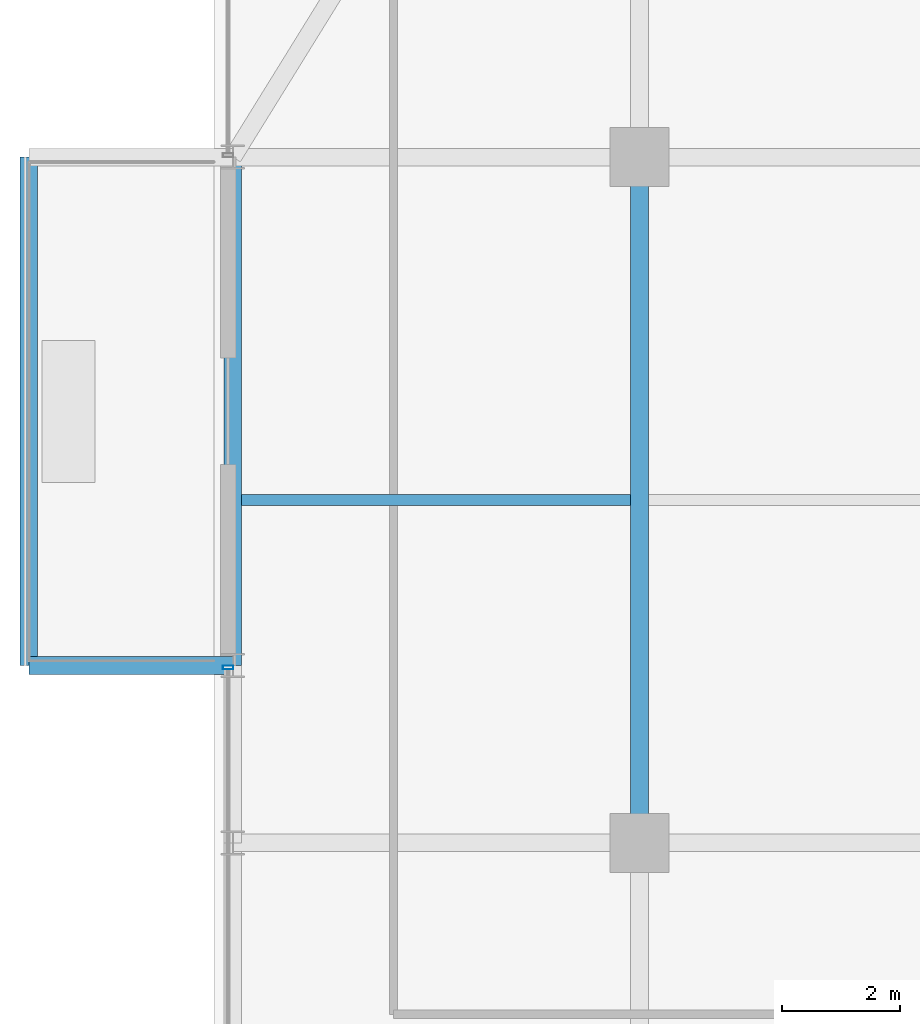
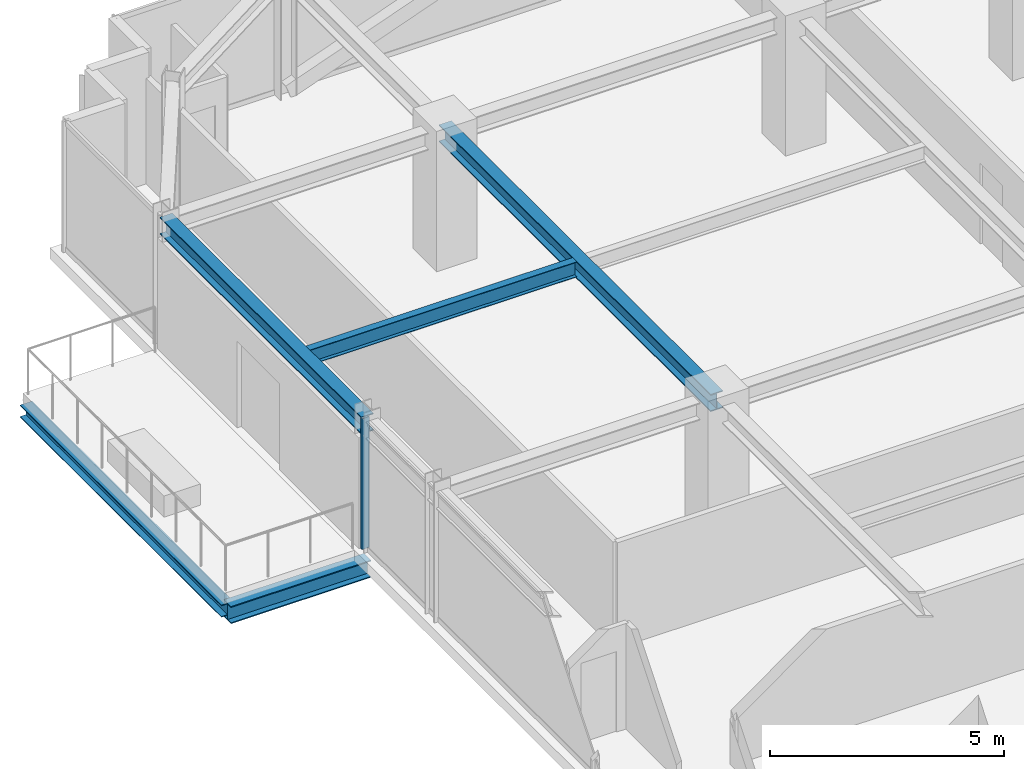
# One storey, part 18 of 41: 5 beams, 1 member, 1 element without a shape of its own.
"""IFC4 building model written with IfcOpenShell, lengths in metres."""

from ifc_helpers import new_model, si_unit, direction, frame, origin, origin_2d, place, context, subcontext, project, spatial, hollow_rectangle, i_section, extrude, source, transform, mapped, material, material_profile, profile_set, type_object, element, aggregate, save


model = new_model("IFC4")

# Units and contexts
model_context = context("Model", 3, precision=1e-05, world=origin(), true_north=direction((0.0, 1.0)))
body_context = subcontext(model_context, "Body", "Model", "MODEL_VIEW")
ifc_project = project(units=[si_unit("LENGTHUNIT", "METRE"), si_unit("AREAUNIT", "SQUARE_METRE"), si_unit("VOLUMEUNIT", "CUBIC_METRE"), si_unit("PLANEANGLEUNIT", "RADIAN"), si_unit("MASSUNIT", "GRAM", prefix="KILO")], contexts=[model_context])

# Site, building, storey
site_placement = place(None, origin())
site = spatial("IfcSite", under=ifc_project, at=site_placement, CompositionType="ELEMENT")
building_placement = place(site_placement, origin())
building = spatial("IfcBuilding", under=site, at=building_placement, Name="Nahalor Promenade Grand Hotel", CompositionType="ELEMENT")
storey_placement = place(building_placement, frame((0.0, 0.0, 227.10009765625)))
storey = spatial("IfcBuildingStorey", under=building, at=storey_placement, Name="L58", CompositionType="ELEMENT", Elevation=227.10009765625)

# Beams
ifc_material_1 = material(Name="Steel S355JR", Category="steel")
ifc_material_profile_1 = material_profile(ifc_material_1, i_section(OverallWidth=0.3, OverallDepth=0.32, WebThickness=0.0115, FlangeThickness=0.0205, at=origin_2d()), Name="HEB 320")
ifc_profile_set_1 = profile_set([ifc_material_profile_1], Name="Steel S355JR")
beam_type_1 = type_object("IfcBeamType", Name="Beam-BalcEdge-HEB320", PredefinedType="SPANDREL", material=ifc_profile_set_1)
shared_shape_1 = source(origin(), body_context, "Body", "SweptSolid", [
    extrude(i_section(OverallWidth=0.3, OverallDepth=0.32, WebThickness=0.0115, FlangeThickness=0.0205, at=origin_2d()), origin(), (0.0, 0.0, 1.0), 8.60009765625),
])
beam_1_placement = place(storey_placement, frame((-27.330078125, 8.39990234375, -0.440185546875), z_axis=(0.0, 1.0, 0.0), x_axis=(-1.0, 0.0, 0.0)))
element("IfcBeam", 1, at=beam_1_placement, inside=storey, type_object=beam_type_1, Name="BM-L58-BC-02-F", PredefinedType="SPANDREL", context=body_context, shape_type="MappedRepresentation", body=[
    mapped(shared_shape_1, transform((0.0, 0.0, 0.0), scale=1.0)),
])
ifc_material_profile_2 = material_profile(ifc_material_1, i_section(OverallWidth=0.3, OverallDepth=0.45, WebThickness=0.014, FlangeThickness=0.026, at=origin_2d()), Name="HEB 450")
ifc_profile_set_2 = profile_set([ifc_material_profile_2], Name="Steel S355JR")
beam_type_2 = type_object("IfcBeamType", Name="Beam-Outrigger-HEB450", PredefinedType="BEAM", material=ifc_profile_set_2)
shared_shape_2 = source(origin(), body_context, "Body", "SweptSolid", [
    extrude(i_section(OverallWidth=0.3, OverallDepth=0.45, WebThickness=0.014, FlangeThickness=0.026, at=origin_2d()), origin(), (0.0, 0.0, 1.0), 3.4501953125),
])
beam_2_placement = place(storey_placement, frame((-27.330078125, 8.39990234375, -0.505126953125), z_axis=(1.0, 0.0, 0.0), x_axis=(0.0, 1.0, 0.0)))
element("IfcBeam", 2, at=beam_2_placement, inside=storey, type_object=beam_type_2, Name="BM-L58-BC-02-1", PredefinedType="BEAM", context=body_context, shape_type="MappedRepresentation", body=[
    mapped(shared_shape_2, transform((0.0, 0.0, 0.0), scale=1.0)),
])
ifc_material_profile_3 = material_profile(ifc_material_1, i_section(OverallWidth=0.3, OverallDepth=0.45, WebThickness=0.014, FlangeThickness=0.026, at=origin_2d()), Name="HEB 450")
ifc_profile_set_3 = profile_set([ifc_material_profile_3], Name="Steel S355JR")
beam_type_3 = type_object("IfcBeamType", Name="Beam-Spandrel-HEB450", PredefinedType="SPANDREL", material=ifc_profile_set_3)
shared_shape_3 = source(origin(), body_context, "Body", "SweptSolid", [
    extrude(i_section(OverallWidth=0.3, OverallDepth=0.45, WebThickness=0.014, FlangeThickness=0.026, at=origin_2d()), origin(), (0.0, 0.0, 1.0), 8.60009765625),
])
beam_3_placement = place(storey_placement, frame((-23.8798828125, 8.39990234375, 3.184814453125), z_axis=(0.0, 1.0, 0.0), x_axis=(-1.0, 0.0, 0.0)))
element("IfcBeam", 3, at=beam_3_placement, inside=storey, type_object=beam_type_3, Name="BM-L58-SP-W-4", PredefinedType="SPANDREL", context=body_context, shape_type="MappedRepresentation", body=[
    mapped(shared_shape_3, transform((0.0, 0.0, 0.0), scale=1.0)),
])
ifc_material_profile_4 = material_profile(ifc_material_1, i_section(OverallWidth=0.3, OverallDepth=0.45, WebThickness=0.014, FlangeThickness=0.026, at=origin_2d()), Name="HEB 450")
ifc_profile_set_4 = profile_set([ifc_material_profile_4], Name="Steel S355JR")
beam_type_4 = type_object("IfcBeamType", Name="Beam-Girder-HEB450", PredefinedType="BEAM", material=ifc_profile_set_4)
shared_shape_4 = source(origin(), body_context, "Body", "SweptSolid", [
    extrude(i_section(OverallWidth=0.3, OverallDepth=0.45, WebThickness=0.014, FlangeThickness=0.026, at=origin_2d()), origin(), (0.0, 0.0, 1.0), 11.60009765625),
])
beam_4_placement = place(storey_placement, frame((-17.0, 5.39990234375, 3.184814453125), z_axis=(0.0, 1.0, 0.0), x_axis=(-1.0, 0.0, 0.0)))
element("IfcBeam", 4, at=beam_4_placement, inside=storey, type_object=beam_type_4, Name="BM-L58-GY-0-3", PredefinedType="BEAM", context=body_context, shape_type="MappedRepresentation", body=[
    mapped(shared_shape_4, transform((0.0, 0.0, 0.0), scale=1.0)),
])
ifc_material_profile_5 = material_profile(ifc_material_1, i_section(OverallWidth=0.18, OverallDepth=0.4, WebThickness=0.0086, FlangeThickness=0.0135, at=origin_2d()), Name="IPE 400")
ifc_profile_set_5 = profile_set([ifc_material_profile_5], Name="Steel S355JR")
beam_type_5 = type_object("IfcBeamType", Name="Beam-Joist-IPE400", PredefinedType="JOIST", material=ifc_profile_set_5)
shared_shape_5 = source(origin(), body_context, "Body", "SweptSolid", [
    extrude(i_section(OverallWidth=0.18, OverallDepth=0.4, WebThickness=0.0086, FlangeThickness=0.0135, at=origin_2d()), origin(), (0.0, 0.0, 1.0), 6.580078125),
])
beam_5_placement = place(storey_placement, frame((-23.72998046875, 11.199951171875, 3.2099609375), z_axis=(1.0, 0.0, 0.0), x_axis=(0.0, 1.0, 0.0)))
element("IfcBeam", 5, at=beam_5_placement, inside=storey, type_object=beam_type_5, Name="BM-L58-JSW-1-0", PredefinedType="JOIST", context=body_context, shape_type="MappedRepresentation", body=[
    mapped(shared_shape_5, transform((0.0, 0.0, 0.0), scale=1.0)),
])

# Curtain wall, member
ifc_material_2 = material(Name="Anodised Bronze Aluminium EN AW-6063 T6", Category="aluminium")
curtain_wall_type = type_object("IfcCurtainWallType", Name="CW2 Typical Hotel Flush Bronze Unitised Curtain Wall", PredefinedType="USERDEFINED", material=ifc_material_2)
curtain_wall_placement = place(storey_placement, origin())
curtain_wall = element("IfcCurtainWall", 6, at=curtain_wall_placement, inside=storey, type_object=curtain_wall_type, Name="L58 Curtain Wall CW-L58-W-1", ObjectType="UNITISED_CURTAIN_WALL", PredefinedType="USERDEFINED")
ifc_material_profile_6 = material_profile(ifc_material_2, hollow_rectangle(XDim=0.065, YDim=0.18, WallThickness=0.004, at=origin_2d()), Name="CWM 65x180x4")
ifc_profile_set_6 = profile_set([ifc_material_profile_6], Name="Anodised Bronze Aluminium EN AW-6063 T6")
member_type = type_object("IfcMemberType", Name="CWM2 Typical Bronze Mullion 65x180", PredefinedType="MULLION", material=ifc_profile_set_6)
shared_shape_6 = source(origin(), body_context, "Body", "SweptSolid", [
    extrude(hollow_rectangle(XDim=0.065, YDim=0.18, WallThickness=0.004, at=origin_2d()), origin(), (0.0, 0.0, 1.0), 3.409912109375),
])
member_placement = place(storey_placement, frame((-23.9599609375, 8.367431640625, 0.0), z_axis=(0.0, 0.0, 1.0), x_axis=(0.0, 1.0, 0.0)))
member = element("IfcMember", 7, at=member_placement, type_object=member_type, Name="CW-L58-W-1 Mullion 3", PredefinedType="MULLION", context=body_context, shape_type="MappedRepresentation", body=[
    mapped(shared_shape_6, transform((0.0, 0.0, 0.0), scale=1.0)),
])
aggregate(curtain_wall, [member])

save(model, "model.ifc")
